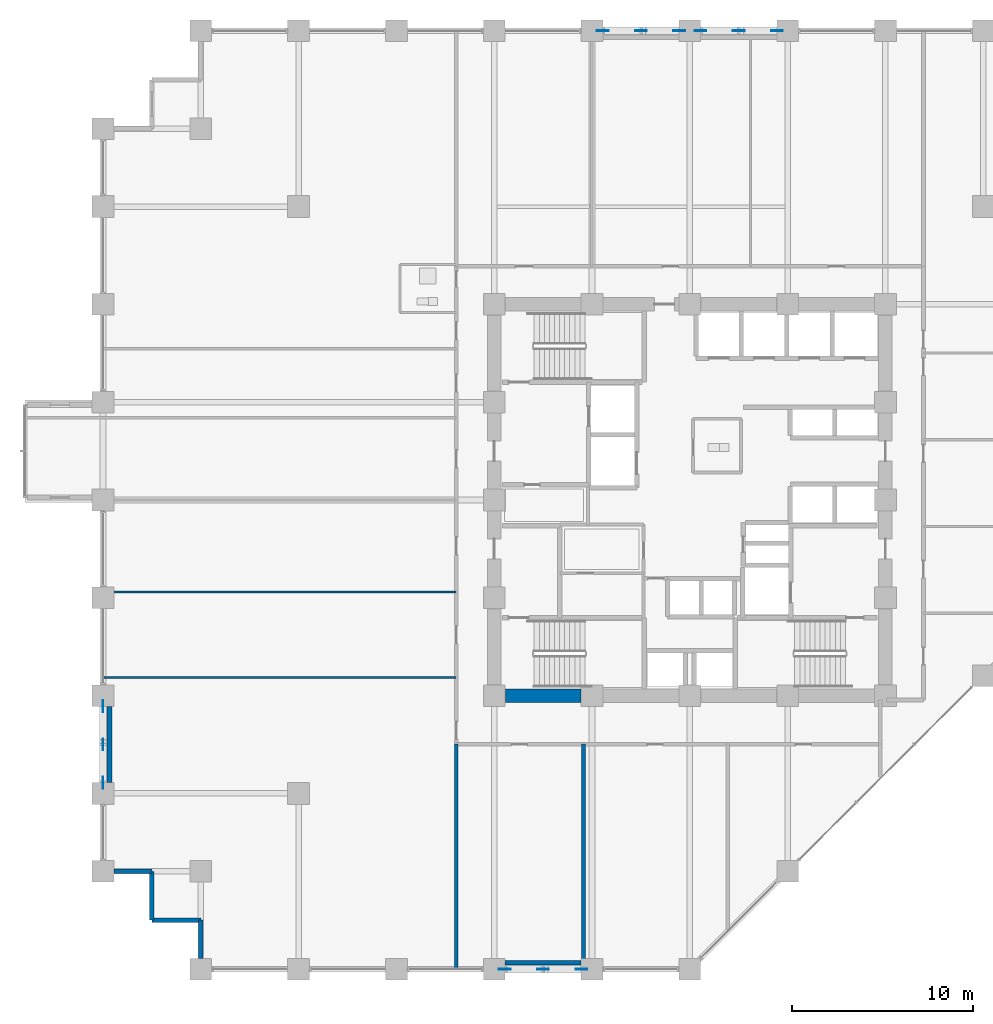
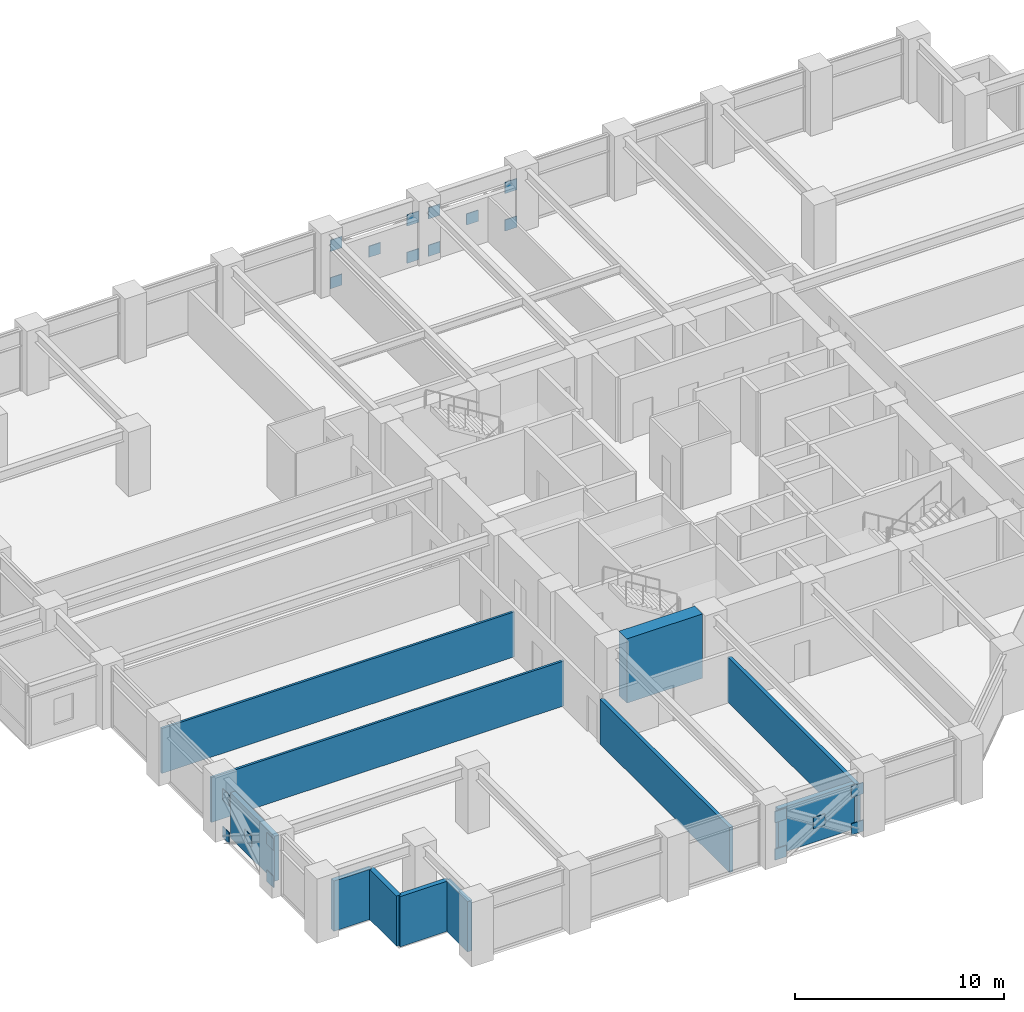
# One storey, part 20 of 28: 20 plates, 11 walls.
"""IFC4 building model written with IfcOpenShell, lengths in metres."""

from ifc_helpers import new_model, si_unit, direction, frame, frame_2d, origin, origin_2d, place, context, subcontext, project, spatial, rectangle, extrude, material, layer, layer_set, type_object, element, save


model = new_model("IFC4")

# Units and contexts
model_context = context("Model", 3, precision=1e-05, world=origin(), true_north=direction((0.0, 1.0)))
body_context = subcontext(model_context, "Body", "Model", "MODEL_VIEW")
ifc_project = project(units=[si_unit("LENGTHUNIT", "METRE"), si_unit("AREAUNIT", "SQUARE_METRE"), si_unit("VOLUMEUNIT", "CUBIC_METRE"), si_unit("PLANEANGLEUNIT", "RADIAN"), si_unit("MASSUNIT", "GRAM", prefix="KILO")], contexts=[model_context])

# Site, building, storey
site_placement = place(None, origin())
site = spatial("IfcSite", under=ifc_project, at=site_placement, CompositionType="ELEMENT")
building_placement = place(site_placement, origin())
building = spatial("IfcBuilding", under=site, at=building_placement, Name="Surkhivell Harbour Commons", CompositionType="ELEMENT")
storey_placement = place(building_placement, frame((0.0, 0.0, 67.5)))
storey = spatial("IfcBuildingStorey", under=building, at=storey_placement, Name="L17", CompositionType="ELEMENT", Elevation=67.5)

# Plates
ifc_material_1 = material(Name="Steel S460", Category="steel")
ifc_layer_1 = layer(ifc_material_1, 0.044921875)
ifc_layer_set_1 = layer_set([ifc_layer_1], Name="Steel S460")
plate_type = type_object("IfcPlateType", Name="PLT-GUS-650", PredefinedType="USERDEFINED", material=ifc_layer_set_1)
for number, where, z_axis, x_axis, name in (
    (1, (-4.81494140625, 25.89990234375, -0.08935546875), (0.0, 0.0, 1.0), (1.0, 0.0, 0.0), "L17 Perimeter Mega-Brace MB- Corner Gusset N-1"),
    (2, (-0.5849609375, 25.89990234375, -0.08935546875), (0.0, 0.0, 1.0), (1.0, 0.0, 0.0), "L17 Perimeter Mega-Brace MB- Corner Gusset N-2"),
    (3, (-4.81494140625, 25.89990234375, 2.094482421875), (0.0, 0.0, 1.0), (1.0, 0.0, 0.0), "L17 Perimeter Mega-Brace MB- Corner Gusset N-3"),
    (4, (-0.5849609375, 25.89990234375, 2.094482421875), (0.0, 0.0, 1.0), (1.0, 0.0, 0.0), "L17 Perimeter Mega-Brace MB- Corner Gusset N-4"),
    (5, (-2.699951171875, 25.89990234375, 1.00244140625), (0.0, 0.0, 1.0), (1.0, 0.0, 0.0), "L17 Perimeter Mega-Brace MB- Central Crossing Gusset N"),
    (6, (0.5849609375, 25.89990234375, -0.08935546875), (0.0, 0.0, 1.0), (1.0, 0.0, 0.0), "L17 Perimeter Mega-Brace MB- Corner Gusset N2-1"),
    (7, (4.81494140625, 25.89990234375, -0.08935546875), (0.0, 0.0, 1.0), (1.0, 0.0, 0.0), "L17 Perimeter Mega-Brace MB- Corner Gusset N2-2"),
    (8, (0.5849609375, 25.89990234375, 2.094482421875), (0.0, 0.0, 1.0), (1.0, 0.0, 0.0), "L17 Perimeter Mega-Brace MB- Corner Gusset N2-3"),
    (9, (4.81494140625, 25.89990234375, 2.094482421875), (0.0, 0.0, 1.0), (1.0, 0.0, 0.0), "L17 Perimeter Mega-Brace MB- Corner Gusset N2-4"),
    (10, (2.699951171875, 25.89990234375, 1.00244140625), (0.0, 0.0, 1.0), (1.0, 0.0, 0.0), "L17 Perimeter Mega-Brace MB- Central Crossing Gusset N2"),
    (11, (-10.215087890625, -25.89990234375, -0.08935546875), (0.0, 0.0, 1.0), (1.0, 0.0, 0.0), "L17 Perimeter Mega-Brace MB- Corner Gusset S-1"),
    (12, (-5.985107421875, -25.89990234375, -0.08935546875), (0.0, 0.0, 1.0), (1.0, 0.0, 0.0), "L17 Perimeter Mega-Brace MB- Corner Gusset S-2"),
    (13, (-10.215087890625, -25.89990234375, 2.094482421875), (0.0, 0.0, 1.0), (1.0, 0.0, 0.0), "L17 Perimeter Mega-Brace MB- Corner Gusset S-3"),
    (14, (-5.985107421875, -25.89990234375, 2.094482421875), (0.0, 0.0, 1.0), (1.0, 0.0, 0.0), "L17 Perimeter Mega-Brace MB- Corner Gusset S-4"),
    (15, (-8.10009765625, -25.89990234375, 1.00244140625), (0.0, 0.0, 1.0), (1.0, 0.0, 0.0), "L17 Perimeter Mega-Brace MB- Central Crossing Gusset S"),
    (16, (-32.39990234375, -15.614990234375, -0.08935546875), (0.0, 0.0, 1.0), (0.0, 1.0, 0.0), "L17 Perimeter Mega-Brace MB- Corner Gusset W-1"),
    (17, (-32.39990234375, -11.385009765625, -0.08935546875), (0.0, 0.0, 1.0), (0.0, 1.0, 0.0), "L17 Perimeter Mega-Brace MB- Corner Gusset W-2"),
    (18, (-32.39990234375, -15.614990234375, 2.094482421875), (0.0, 0.0, 1.0), (0.0, 1.0, 0.0), "L17 Perimeter Mega-Brace MB- Corner Gusset W-3"),
    (19, (-32.39990234375, -11.385009765625, 2.094482421875), (0.0, 0.0, 1.0), (0.0, 1.0, 0.0), "L17 Perimeter Mega-Brace MB- Corner Gusset W-4"),
    (20, (-32.39990234375, -13.5, 1.00244140625), (0.0, 0.0, 1.0), (0.0, 1.0, 0.0), "L17 Perimeter Mega-Brace MB- Central Crossing Gusset W"),
):
    element("IfcPlate", number, at=place(storey_placement, frame(where, z_axis=z_axis, x_axis=x_axis)), inside=storey, type_object=plate_type, Name=name, ObjectType="GUSSET_PLATE", PredefinedType="USERDEFINED", context=body_context, shape_type="SweptSolid", body=[
        extrude(rectangle(XDim=0.64990234375, YDim=0.044921875, at=origin_2d()), origin(), (0.0, 0.0, 1.0), 0.64990234375),
    ])

# Walls
ifc_material_2 = material(Name="Concrete C60/75", Category="concrete")
ifc_layer_2 = layer(ifc_material_2, 0.75)
ifc_layer_set_2 = layer_set([ifc_layer_2], Name="Concrete C60/75")
wall_type_1 = type_object("IfcWallType", Name="WAL-CORE-750", PredefinedType="SHEAR", material=ifc_layer_set_2)
wall_1_placement = place(storey_placement, frame((-10.18994140625, -10.800048828125, 0.0), z_axis=(0.0, 0.0, 1.0), x_axis=(1.0, 0.0, 0.0)))
element("IfcWall", 21, at=wall_1_placement, inside=storey, type_object=wall_type_1, Name="L17 Core Shear Wall South 1", PredefinedType="SHEAR", context=body_context, shape_type="SweptSolid", body=[
    extrude(rectangle(XDim=4.179931640625, YDim=0.75, at=frame_2d((2.08984375, 0.0))), origin(), (0.0, 0.0, 1.0), 3.75),
])
ifc_material_3 = material(Name="Pale-metal insulated precast concrete C45/55", Category="concrete")
ifc_layer_3 = layer(ifc_material_3, 0.260009765625)
ifc_layer_set_3 = layer_set([ifc_layer_3], Name="Pale-metal insulated precast concrete C45/55")
wall_type_2 = type_object("IfcWallType", Name="WAL-EXT-MTL260", PredefinedType="STANDARD", material=ifc_layer_set_3)
wall_2_placement = place(storey_placement, frame((-10.201904296875, -25.5400390625, 0.0), z_axis=(0.0, 0.0, 1.0), x_axis=(1.0, 0.0, 0.0)))
element("IfcWall", 22, at=wall_2_placement, inside=storey, type_object=wall_type_2, Name="L17 Braced-Bay Insulated Spandrel Backing S", PredefinedType="STANDARD", context=body_context, shape_type="SweptSolid", body=[
    extrude(rectangle(XDim=4.203857421875, YDim=0.260009765625, at=frame_2d((2.10205078125, 0.0))), origin(), (0.0, 0.0, 1.0), 2.623046875),
])
wall_3_placement = place(storey_placement, frame((-32.0400390625, -15.60205078125, 0.0), z_axis=(0.0, 0.0, 1.0), x_axis=(0.0, 1.0, 0.0)))
element("IfcWall", 23, at=wall_3_placement, inside=storey, type_object=wall_type_2, Name="L17 Braced-Bay Insulated Spandrel Backing W", PredefinedType="STANDARD", context=body_context, shape_type="SweptSolid", body=[
    extrude(rectangle(XDim=4.2041015625, YDim=0.260009765625, at=frame_2d((2.10205078125, 0.0))), origin(), (0.0, 0.0, 1.0), 2.623046875),
])
wall_4_placement = place(storey_placement, frame((-31.802001953125, -20.5, 0.0), z_axis=(0.0, 0.0, 1.0), x_axis=(1.0, 0.0, 0.0)))
element("IfcWall", 24, at=wall_4_placement, inside=storey, type_object=wall_type_2, Name="L17 Serrated Corner Facade Wall 13", PredefinedType="STANDARD", context=body_context, shape_type="SweptSolid", body=[
    extrude(rectangle(XDim=2.10205078125, YDim=0.260009765625, at=frame_2d((1.051025390625, 0.0))), origin(), (0.0, 0.0, 1.0), 2.929931640625),
])
for number, where, z_axis, x_axis, name in (
    (25, (-29.699951171875, -20.5, 0.0), (0.0, 0.0, 1.0), (0.0, -1.0, 0.0), "L17 Serrated Corner Facade Wall 14"),
    (26, (-29.699951171875, -23.199951171875, 0.0), (0.0, 0.0, 1.0), (1.0, 0.0, 0.0), "L17 Serrated Corner Facade Wall 15"),
):
    element("IfcWall", number, at=place(storey_placement, frame(where, z_axis=z_axis, x_axis=x_axis)), inside=storey, type_object=wall_type_2, Name=name, PredefinedType="STANDARD", context=body_context, shape_type="SweptSolid", body=[
        extrude(rectangle(XDim=2.699951171875, YDim=0.260009765625, at=frame_2d((1.35009765625, 0.0))), origin(), (0.0, 0.0, 1.0), 2.929931640625),
    ])
wall_5_placement = place(storey_placement, frame((-27.0, -23.199951171875, 0.0), z_axis=(0.0, 0.0, 1.0), x_axis=(0.0, -1.0, 0.0)))
element("IfcWall", 27, at=wall_5_placement, inside=storey, type_object=wall_type_2, Name="L17 Serrated Corner Facade Wall 16", PredefinedType="STANDARD", context=body_context, shape_type="SweptSolid", body=[
    extrude(rectangle(XDim=2.10205078125, YDim=0.260009765625, at=frame_2d((1.051025390625, 0.0))), origin(), (0.0, 0.0, 1.0), 2.929931640625),
])
ifc_material_4 = material(Name="Moisture-resistant acoustic stud partition", Category="other")
ifc_layer_4 = layer(ifc_material_4, 0.125)
ifc_layer_set_4 = layer_set([ifc_layer_4], Name="Moisture-resistant acoustic stud partition")
wall_type_3 = type_object("IfcWallType", Name="WAL-INT-125", PredefinedType="PARTITIONING", material=ifc_layer_set_4)
for number, where, z_axis, x_axis, name in (
    (28, (-32.340087890625, -5.080078125, 0.0), (0.0, 0.0, 1.0), (1.0, 0.0, 0.0), "L17 West Partition BDP1"),
    (29, (-32.340087890625, -9.800048828125, 0.0), (0.0, 0.0, 1.0), (1.0, 0.0, 0.0), "L17 West Partition PBOT"),
):
    element("IfcWall", number, at=place(storey_placement, frame(where, z_axis=z_axis, x_axis=x_axis)), inside=storey, type_object=wall_type_3, Name=name, PredefinedType="PARTITIONING", context=body_context, shape_type="SweptSolid", body=[
        extrude(rectangle(XDim=19.440185546875, YDim=0.125, at=frame_2d((9.72021484375, 0.0))), origin(), (0.0, 0.0, 1.0), 2.623046875),
    ])
ifc_material_5 = material(Name="Autoclaved aerated concrete blockwork and fire plaster", Category="masonry")
ifc_layer_5 = layer(ifc_material_5, 0.199951171875)
ifc_layer_set_5 = layer_set([ifc_layer_5], Name="Autoclaved aerated concrete blockwork and fire plaster")
wall_type_4 = type_object("IfcWallType", Name="WAL-INT-200", PredefinedType="PARTITIONING", material=ifc_layer_set_5)
for number, where, z_axis, x_axis, name in (
    (30, (-12.89990234375, -25.840087890625, 0.0), (0.0, 0.0, 1.0), (0.0, 1.0, 0.0), "L17 South-West Wing Corner Divider"),
    (31, (-5.8701171875, -25.840087890625, 0.0), (0.0, 0.0, 1.0), (0.0, 1.0, 0.0), "L17 South Partition P1"),
):
    element("IfcWall", number, at=place(storey_placement, frame(where, z_axis=z_axis, x_axis=x_axis)), inside=storey, type_object=wall_type_4, Name=name, PredefinedType="PARTITIONING", context=body_context, shape_type="SweptSolid", body=[
        extrude(rectangle(XDim=12.360107421875, YDim=0.199951171875, at=frame_2d((6.18017578125, 0.0))), origin(), (0.0, 0.0, 1.0), 2.623046875),
    ])

save(model, "model.ifc")
